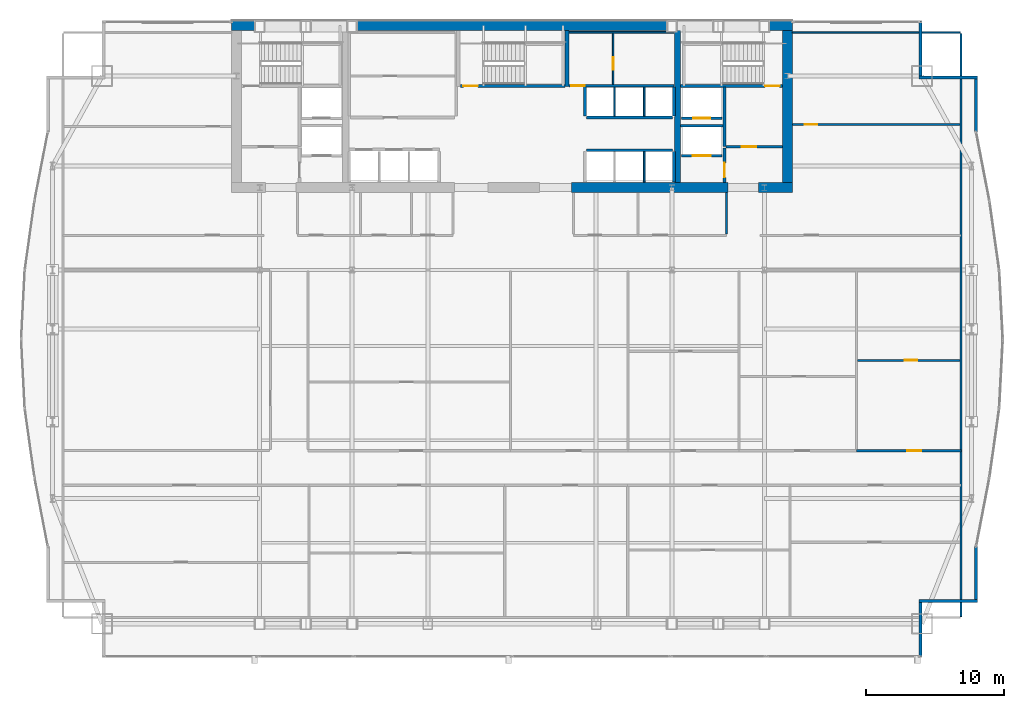
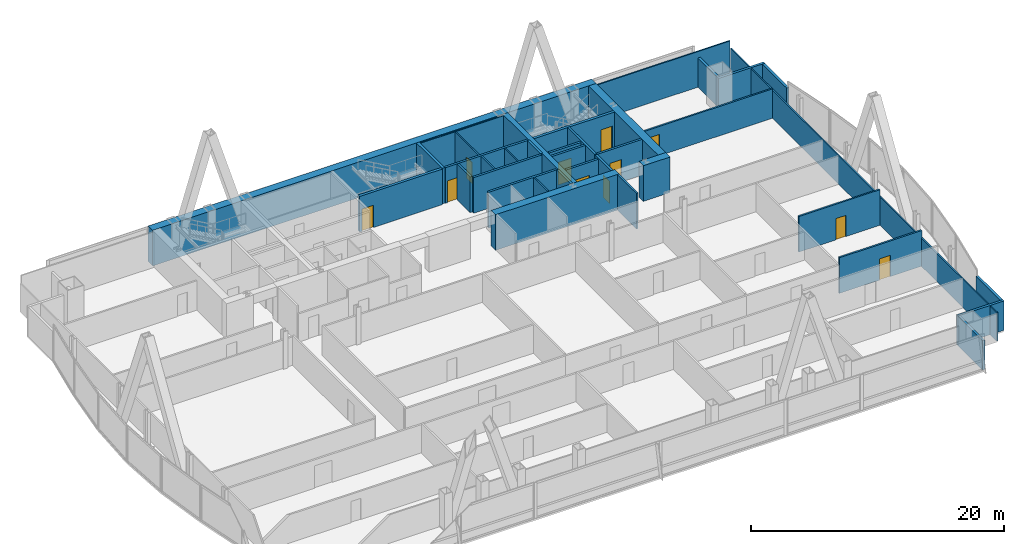
# One storey, part 29 of 33: 37 walls, 11 doors, 11 openings.
"""IFC4 building model written with IfcOpenShell, lengths in metres."""

from ifc_helpers import new_model, si_unit, direction, frame, frame_2d, origin, place, context, subcontext, project, spatial, rectangle, extrude, material, layer, layer_set, type_object, element, fill, save


model = new_model("IFC4")

# Units and contexts
model_context = context("Model", 3, precision=1e-05, world=origin(), true_north=direction((0.0, 1.0)))
body_context = subcontext(model_context, "Body", "Model", "MODEL_VIEW")
ifc_project = project(units=[si_unit("LENGTHUNIT", "METRE"), si_unit("AREAUNIT", "SQUARE_METRE"), si_unit("VOLUMEUNIT", "CUBIC_METRE"), si_unit("PLANEANGLEUNIT", "RADIAN"), si_unit("MASSUNIT", "GRAM", prefix="KILO")], contexts=[model_context])

# Site, building, storey
site_placement = place(None, origin())
site = spatial("IfcSite", under=ifc_project, at=site_placement, CompositionType="ELEMENT")
building_placement = place(site_placement, origin())
building = spatial("IfcBuilding", under=site, at=building_placement, Name="Khoronbel Lancet Exchange", CompositionType="ELEMENT")
storey_placement = place(building_placement, frame((0.0, 0.0, 118.199951171875)))
storey = spatial("IfcBuildingStorey", under=building, at=storey_placement, Name="L28", CompositionType="ELEMENT", Elevation=118.199951171875)

# Walls
ifc_material_1 = material(Name="Concrete C80/95", Category="concrete")
ifc_layer_1 = layer(ifc_material_1, 0.699951171875, Name="Concrete C80/95")
ifc_layer_set_1 = layer_set([ifc_layer_1], Name="Concrete C80/95")
wall_type_1 = type_object("IfcWallType", Name="WL-CW2", PredefinedType="SHEAR", material=ifc_layer_set_1)
wall_1_placement = place(storey_placement, frame((16.199951171875, 53.35009765625, 0.0), z_axis=(0.0, 0.0, 1.0), x_axis=(1.0, 0.0, 0.0)))
element("IfcWall", 1, at=wall_1_placement, inside=storey, type_object=wall_type_1, Name="Level L28 rear core north shear wall", PredefinedType="SHEAR", context=body_context, shape_type="SweptSolid", body=[
    extrude(rectangle(XDim=40.5, YDim=0.699951171875, at=frame_2d((20.25, 0.0))), origin(), (0.0, 0.0, 1.0), 3.43994140625),
])
wall_2_placement = place(storey_placement, frame((56.35009765625, 53.0, 0.0), z_axis=(0.0, 0.0, 1.0), x_axis=(0.0, -1.0, 0.0)))
element("IfcWall", 2, at=wall_2_placement, inside=storey, type_object=wall_type_1, Name="Level L28 rear core east shear wall", PredefinedType="SHEAR", context=body_context, shape_type="SweptSolid", body=[
    extrude(rectangle(XDim=11.0, YDim=0.699951171875, at=frame_2d((5.5, 0.0))), origin(), (0.0, 0.0, 1.0), 3.43994140625),
])
wall_3_placement = place(storey_placement, frame((52.050048828125, 41.64990234375, 0.0), z_axis=(0.0, 0.0, 1.0), x_axis=(-1.0, 0.0, 0.0)))
element("IfcWall", 3, at=wall_3_placement, inside=storey, type_object=wall_type_1, Name="Level L28 rear core south shear wall pier P4", PredefinedType="SHEAR", context=body_context, shape_type="SweptSolid", body=[
    extrude(rectangle(XDim=11.300048828125, YDim=0.699951171875, at=frame_2d((5.64990234375, 0.0))), origin(), (0.0, 0.0, 1.0), 3.43994140625),
])
wall_4_placement = place(storey_placement, frame((56.699951171875, 41.64990234375, 0.0), z_axis=(0.0, 0.0, 1.0), x_axis=(-1.0, 0.0, 0.0)))
element("IfcWall", 4, at=wall_4_placement, inside=storey, type_object=wall_type_1, Name="Level L28 rear core south shear wall pier P5", PredefinedType="SHEAR", context=body_context, shape_type="SweptSolid", body=[
    extrude(rectangle(XDim=2.449951171875, YDim=0.699951171875, at=frame_2d((1.22509765625, 0.0))), origin(), (0.0, 0.0, 1.0), 3.43994140625),
])
ifc_material_2 = material(Name="Precast concrete C40/50", Category="concrete")
ifc_layer_2 = layer(ifc_material_2, 0.25, Name="Precast concrete C40/50")
ifc_layer_set_2 = layer_set([ifc_layer_2], Name="Precast concrete C40/50")
wall_type_2 = type_object("IfcWallType", Name="WL-EXT250", PredefinedType="SOLIDWALL", material=ifc_layer_set_2)
wall_5_placement = place(storey_placement, frame((65.9599609375, 53.6298828125, 0.0), z_axis=(0.0, 0.0, 1.0), x_axis=(0.0, -1.0, 0.0)))
element("IfcWall", 5, at=wall_5_placement, inside=storey, type_object=wall_type_2, Name="Level L28 notched-corner limestone pier 14", PredefinedType="SOLIDWALL", context=body_context, shape_type="SweptSolid", body=[
    extrude(rectangle(XDim=3.909912109375, YDim=0.219970703125, at=frame_2d((1.955078125, 0.0))), origin(), (0.0, 0.0, 1.0), 2.830078125),
])
wall_6_placement = place(storey_placement, frame((65.85009765625, 49.610107421875, 0.0), z_axis=(0.0, 0.0, 1.0), x_axis=(1.0, 0.0, 0.0)))
element("IfcWall", 6, at=wall_6_placement, inside=storey, type_object=wall_type_2, Name="Level L28 notched-corner limestone pier 15", PredefinedType="SOLIDWALL", context=body_context, shape_type="SweptSolid", body=[
    extrude(rectangle(XDim=4.219970703125, YDim=0.219970703125, at=frame_2d((2.10986328125, 0.0))), origin(), (0.0, 0.0, 1.0), 2.830078125),
])
for number, where, z_axis, x_axis, name in (
    (7, (69.9599609375, 49.5, 0.0), (0.0, 0.0, 1.0), (0.0, -1.0, 0.0), "Level L28 notched-corner limestone pier 16"),
    (8, (69.9599609375, 15.728515625, 0.0), (0.0, 0.0, 1.0), (0.0, -1.0, 0.0), "Level L28 notched-corner limestone pier 23"),
):
    element("IfcWall", number, at=place(storey_placement, frame(where, z_axis=z_axis, x_axis=x_axis)), inside=storey, type_object=wall_type_2, Name=name, PredefinedType="SOLIDWALL", context=body_context, shape_type="SweptSolid", body=[
        extrude(rectangle(XDim=3.82861328125, YDim=0.219970703125, at=frame_2d((1.914306640625, 0.0))), origin(), (0.0, 0.0, 1.0), 2.830078125),
    ])
wall_7_placement = place(storey_placement, frame((70.070068359375, 11.7900390625, 0.0), z_axis=(0.0, 0.0, 1.0), x_axis=(-1.0, 0.0, 0.0)))
element("IfcWall", 9, at=wall_7_placement, inside=storey, type_object=wall_type_2, Name="Level L28 notched-corner limestone pier 24", PredefinedType="SOLIDWALL", context=body_context, shape_type="SweptSolid", body=[
    extrude(rectangle(XDim=4.219970703125, YDim=0.219970703125, at=frame_2d((2.10986328125, 0.0))), origin(), (0.0, 0.0, 1.0), 2.830078125),
])
wall_8_placement = place(storey_placement, frame((65.9599609375, 11.679931640625, 0.0), z_axis=(0.0, 0.0, 1.0), x_axis=(0.0, -1.0, 0.0)))
element("IfcWall", 10, at=wall_8_placement, inside=storey, type_object=wall_type_2, Name="Level L28 notched-corner limestone pier 25", PredefinedType="SOLIDWALL", context=body_context, shape_type="SweptSolid", body=[
    extrude(rectangle(XDim=3.909912109375, YDim=0.219970703125, at=frame_2d((1.955078125, 0.0))), origin(), (0.0, 0.0, 1.0), 2.830078125),
])
ifc_material_3 = material(Name="Acoustic Metal-Stud & Mineral-Wool Gypsum Partition 120 mm", Category="gypsum")
ifc_layer_3 = layer(ifc_material_3, 0.1201171875, Name="Acoustic Metal-Stud & Mineral-Wool Gypsum Partition 120 mm")
ifc_layer_set_3 = layer_set([ifc_layer_3], Name="Acoustic Metal-Stud & Mineral-Wool Gypsum Partition 120 mm")
wall_type_3 = type_object("IfcWallType", Name="WL-PRT120", PredefinedType="PARTITIONING", material=ifc_layer_set_3)
wall_9_placement = place(storey_placement, frame((51.949951171875, 38.280029296875, 0.0), z_axis=(0.0, 0.0, 1.0), x_axis=(0.0, 1.0, 0.0)))
element("IfcWall", 11, at=wall_9_placement, inside=storey, type_object=wall_type_3, Name="Level L28 interior partition PW-NP-1", PredefinedType="PARTITIONING", context=body_context, shape_type="SweptSolid", body=[
    extrude(rectangle(XDim=3.02001953125, YDim=0.14990234375, at=frame_2d((1.510009765625, 0.0))), origin(), (0.0, 0.0, 1.0), 3.43994140625),
])

# Wall, opening, door
wall_10_placement = place(storey_placement, frame((56.699951171875, 46.199951171875, 0.0), z_axis=(0.0, 0.0, 1.0), x_axis=(1.0, 0.0, 0.0)))
wall_10 = element("IfcWall", 12, at=wall_10_placement, inside=storey, type_object=wall_type_3, Name="Level L28 interior partition PW-NE-H", PredefinedType="PARTITIONING", context=body_context, shape_type="SweptSolid", body=[
    extrude(rectangle(XDim=12.10498046875, YDim=0.14990234375, at=frame_2d((6.052490234375, 0.0))), origin(), (0.0, 0.0, 1.0), 2.830078125),
])
opening_1_placement = place(wall_10_placement, frame((0.89990234375, 0.0, 0.0)))
opening_1 = element("IfcOpeningElement", 13, at=opening_1_placement, cuts=wall_10, Name="Opening D5", PredefinedType="OPENING", context=body_context, shape_type="SweptSolid", body=[
    extrude(rectangle(XDim=0.89990234375, YDim=2.050048828125, at=frame_2d((0.449951171875, 1.02490234375))), frame((0.0, 0.0849609375, 0.0), z_axis=(0.0, -1.0, 0.0), x_axis=(1.0, 0.0, 0.0)), (0.0, 0.0, 1.0), 0.169921875),
])
ifc_material_4 = material(Name="Acoustic Timber Pantry & Support Door", Category="wood")
door_type_1 = type_object("IfcDoorType", Name="DR-D5", OperationType="NOTDEFINED", PredefinedType="DOOR", material=ifc_material_4)
door_1_placement = place(opening_1_placement, origin())
door_1 = element("IfcDoor", 14, at=door_1_placement, inside=storey, type_object=door_type_1, Name="NE north room door L28-1", OperationType="SINGLE_SWING_RIGHT", OverallHeight=2.050048828125, OverallWidth=0.89990234375, PredefinedType="DOOR", context=body_context, shape_type="SweptSolid", body=[
    extrude(rectangle(XDim=0.89990234375, YDim=2.050048828125, at=frame_2d((0.449951171875, 1.02490234375))), frame((0.0, 0.02490234375, 0.0), z_axis=(0.0, -1.0, 0.0), x_axis=(1.0, 0.0, 0.0)), (0.0, 0.0, 1.0), 0.050048828125),
])
fill(opening_1, door_1)

wall_11_placement = place(storey_placement, frame((61.40771484375, 29.175048828125, 0.0), z_axis=(0.0, 0.0, 1.0), x_axis=(1.0, 0.0, 0.0)))
wall_11 = element("IfcWall", 15, at=wall_11_placement, inside=storey, type_object=wall_type_3, Name="Level L28 interior partition PW-Z2N-H5", PredefinedType="PARTITIONING", context=body_context, shape_type="SweptSolid", body=[
    extrude(rectangle(XDim=7.397216796875, YDim=0.14990234375, at=frame_2d((3.69873046875, 0.0))), origin(), (0.0, 0.0, 1.0), 3.43994140625),
])
opening_2_placement = place(wall_11_placement, frame((3.39404296875, 0.0, 0.0)))
opening_2 = element("IfcOpeningElement", 16, at=opening_2_placement, cuts=wall_11, Name="Opening D5", PredefinedType="OPENING", context=body_context, shape_type="SweptSolid", body=[
    extrude(rectangle(XDim=0.89990234375, YDim=2.050048828125, at=frame_2d((0.449951171875, 1.02490234375))), frame((0.0, 0.0849609375, 0.0), z_axis=(0.0, -1.0, 0.0), x_axis=(1.0, 0.0, 0.0)), (0.0, 0.0, 1.0), 0.169921875),
])
door_2_placement = place(opening_2_placement, origin())
door_2 = element("IfcDoor", 17, at=door_2_placement, inside=storey, type_object=door_type_1, Name="Z2N inner door 5 L28-1", OperationType="SINGLE_SWING_RIGHT", OverallHeight=2.050048828125, OverallWidth=0.89990234375, PredefinedType="DOOR", context=body_context, shape_type="SweptSolid", body=[
    extrude(rectangle(XDim=0.89990234375, YDim=2.050048828125, at=frame_2d((0.449951171875, 1.02490234375))), frame((0.0, 0.02490234375, 0.0), z_axis=(0.0, -1.0, 0.0), x_axis=(1.0, 0.0, 0.0)), (0.0, 0.0, 1.0), 0.050048828125),
])
fill(opening_2, door_2)

# Walls
wall_12_placement = place(storey_placement, frame((68.8701171875, 10.6650390625, 0.0), z_axis=(0.0, 0.0, 1.0), x_axis=(0.0, 1.0, 0.0)))
element("IfcWall", 18, at=wall_12_placement, inside=storey, type_object=wall_type_3, Name="Level L28 interior partition PW-LIN-E", PredefinedType="PARTITIONING", context=body_context, shape_type="SweptSolid", body=[
    extrude(rectangle(XDim=42.10986328125, YDim=0.1201171875, at=frame_2d((21.054931640625, 0.0))), origin(), (0.0, 0.0, 1.0), 2.72998046875),
])
wall_13_placement = place(storey_placement, frame((56.699951171875, 52.840087890625, 0.0), z_axis=(0.0, 0.0, 1.0), x_axis=(1.0, 0.0, 0.0)))
element("IfcWall", 19, at=wall_13_placement, inside=storey, type_object=wall_type_3, Name="Level L28 interior partition PW-LIN-NE", PredefinedType="PARTITIONING", context=body_context, shape_type="SweptSolid", body=[
    extrude(rectangle(XDim=12.10498046875, YDim=0.1201171875, at=frame_2d((6.052490234375, 0.0))), origin(), (0.0, 0.0, 1.0), 3.43994140625),
])
ifc_material_5 = material(Name="Fire-Rated Metal-Stud & Mineral-Wool Gypsum Partition 120 mm", Category="gypsum")
ifc_layer_4 = layer(ifc_material_5, 0.1201171875, Name="Fire-Rated Metal-Stud & Mineral-Wool Gypsum Partition 120 mm")
ifc_layer_set_4 = layer_set([ifc_layer_4], Name="Fire-Rated Metal-Stud & Mineral-Wool Gypsum Partition 120 mm")
wall_type_4 = type_object("IfcWallType", Name="WL-PRT120F", PredefinedType="PARTITIONING", material=ifc_layer_set_4)
for number, where, z_axis, x_axis, name in (
    (20, (43.860107421875, 46.804931640625, 0.0), (0.0, 0.0, 1.0), (0.0, 1.0, 0.0), "Level L28 interior partition CW-PH-D1"),
    (21, (46.0, 46.804931640625, 0.0), (0.0, 0.0, 1.0), (0.0, 1.0, 0.0), "Level L28 interior partition CW-PH-D2"),
):
    element("IfcWall", number, at=place(storey_placement, frame(where, z_axis=z_axis, x_axis=x_axis)), inside=storey, type_object=wall_type_4, Name=name, PredefinedType="PARTITIONING", context=body_context, shape_type="SweptSolid", body=[
        extrude(rectangle(XDim=2.090087890625, YDim=0.1201171875, at=frame_2d((1.044921875, 0.0))), origin(), (0.0, 0.0, 1.0), 3.43994140625),
    ])
wall_14_placement = place(storey_placement, frame((46.0, 42.050048828125, 0.0), z_axis=(0.0, 0.0, 1.0), x_axis=(0.0, 1.0, 0.0)))
element("IfcWall", 22, at=wall_14_placement, inside=storey, type_object=wall_type_4, Name="Level L28 interior partition CW-PX-D2", PredefinedType="PARTITIONING", context=body_context, shape_type="SweptSolid", body=[
    extrude(rectangle(XDim=2.195068359375, YDim=0.1201171875, at=frame_2d((1.09765625, 0.0))), origin(), (0.0, 0.0, 1.0), 3.43994140625),
])
wall_15_placement = place(storey_placement, frame((40.580078125, 52.860107421875, 0.0), z_axis=(0.0, 0.0, 1.0), x_axis=(1.0, 0.0, 0.0)))
element("IfcWall", 23, at=wall_15_placement, inside=storey, type_object=wall_type_4, Name="Level L28 interior partition CW-SUP-NE-N", PredefinedType="PARTITIONING", context=body_context, shape_type="SweptSolid", body=[
    extrude(rectangle(XDim=7.559814453125, YDim=0.1201171875, at=frame_2d((3.77978515625, 0.0))), origin(), (0.0, 0.0, 1.0), 3.43994140625),
])

# Wall, opening, door
wall_16_placement = place(storey_placement, frame((43.755126953125, 49.10498046875, 0.0), z_axis=(0.0, 0.0, 1.0), x_axis=(0.0, 1.0, 0.0)))
wall_16 = element("IfcWall", 24, at=wall_16_placement, inside=storey, type_object=wall_type_4, Name="Level L28 interior partition CW-SUP-NE-M", PredefinedType="PARTITIONING", context=body_context, shape_type="SweptSolid", body=[
    extrude(rectangle(XDim=3.68994140625, YDim=0.1201171875, at=frame_2d((1.844970703125, 0.0))), origin(), (0.0, 0.0, 1.0), 3.43994140625),
])
opening_3_placement = place(wall_16_placement, frame((1.050048828125, 0.0, 0.0)))
opening_3 = element("IfcOpeningElement", 25, at=opening_3_placement, cuts=wall_16, Name="Opening FD4", PredefinedType="OPENING", context=body_context, shape_type="SweptSolid", body=[
    extrude(rectangle(XDim=0.89990234375, YDim=2.050048828125, at=frame_2d((0.449951171875, 1.02490234375))), frame((0.0, 0.070068359375, 0.0), z_axis=(0.0, -1.0, 0.0), x_axis=(1.0, 0.0, 0.0)), (0.0, 0.0, 1.0), 0.14013671875),
])
ifc_material_6 = material(Name="Fire-Rated Steel Core Support Door Assembly", Category="steel")
door_type_2 = type_object("IfcDoorType", Name="DR-FD4", OperationType="NOTDEFINED", PredefinedType="DOOR", material=ifc_material_6)
door_3_placement = place(opening_3_placement, origin())
door_3 = element("IfcDoor", 26, at=door_3_placement, inside=storey, type_object=door_type_2, Name="Core NE inner support door L28-1", OperationType="SINGLE_SWING_LEFT", OverallHeight=2.050048828125, OverallWidth=0.89990234375, PredefinedType="DOOR", context=body_context, shape_type="SweptSolid", body=[
    extrude(rectangle(XDim=0.89990234375, YDim=2.050048828125, at=frame_2d((0.449951171875, 1.02490234375))), frame((0.0, 0.02490234375, 0.0), z_axis=(0.0, -1.0, 0.0), x_axis=(1.0, 0.0, 0.0)), (0.0, 0.0, 1.0), 0.050048828125),
])
fill(opening_3, door_3)

ifc_material_7 = material(Name="Fire-Rated Twin-Stud Acoustic Gypsum Partition 160 mm", Category="gypsum")
ifc_layer_5 = layer(ifc_material_7, 0.159912109375, Name="Fire-Rated Twin-Stud Acoustic Gypsum Partition 160 mm")
ifc_layer_set_5 = layer_set([ifc_layer_5], Name="Fire-Rated Twin-Stud Acoustic Gypsum Partition 160 mm")
wall_type_5 = type_object("IfcWallType", Name="WL-PRT160C", PredefinedType="PARTITIONING", material=ifc_layer_set_5)
wall_17_placement = place(storey_placement, frame((61.32763671875, 22.64990234375, 0.0), z_axis=(0.0, 0.0, 1.0), x_axis=(1.0, 0.0, 0.0)))
wall_17 = element("IfcWall", 27, at=wall_17_placement, inside=storey, type_object=wall_type_5, Name="Level L28 interior partition PW-Z2N-COR5", PredefinedType="PARTITIONING", context=body_context, shape_type="SweptSolid", body=[
    extrude(rectangle(XDim=7.54248046875, YDim=0.159912109375, at=frame_2d((3.771240234375, 0.0))), origin(), (0.0, 0.0, 1.0), 3.43994140625),
])
opening_4_placement = place(wall_17_placement, frame((3.667724609375, 0.0, 0.0)))
opening_4 = element("IfcOpeningElement", 28, at=opening_4_placement, cuts=wall_17, Name="Opening D2", PredefinedType="OPENING", context=body_context, shape_type="SweptSolid", body=[
    extrude(rectangle(XDim=1.0, YDim=2.050048828125, at=frame_2d((0.5, 1.02490234375))), frame((0.0, 0.08984375, 0.0), z_axis=(0.0, -1.0, 0.0), x_axis=(1.0, 0.0, 0.0)), (0.0, 0.0, 1.0), 0.179931640625),
])
ifc_material_8 = material(Name="Acoustic Veneered Timber & Bronze Frame Door", Category="wood")
door_type_3 = type_object("IfcDoorType", Name="DR-D2", OperationType="NOTDEFINED", PredefinedType="DOOR", material=ifc_material_8)
door_4_placement = place(opening_4_placement, origin())
door_4 = element("IfcDoor", 29, at=door_4_placement, inside=storey, type_object=door_type_3, Name="Z2N bay 5 door L28-1", OperationType="SINGLE_SWING_LEFT", OverallHeight=2.050048828125, OverallWidth=1.0, PredefinedType="DOOR", context=body_context, shape_type="SweptSolid", body=[
    extrude(rectangle(XDim=1.0, YDim=2.050048828125, at=frame_2d((0.5, 1.02490234375))), frame((0.0, 0.02490234375, 0.0), z_axis=(0.0, -1.0, 0.0), x_axis=(1.0, 0.0, 0.0)), (0.0, 0.0, 1.0), 0.050048828125),
])
fill(opening_4, door_4)

ifc_material_9 = material(Name="Autoclaved Aerated Concrete Blockwork 200 mm", Category="masonry")
ifc_layer_6 = layer(ifc_material_9, 0.199951171875, Name="Autoclaved Aerated Concrete Blockwork 200 mm")
ifc_layer_set_6 = layer_set([ifc_layer_6], Name="Autoclaved Aerated Concrete Blockwork 200 mm")
wall_type_6 = type_object("IfcWallType", Name="WL-PRT200", PredefinedType="PARTITIONING", material=ifc_layer_set_6)
wall_18_placement = place(storey_placement, frame((51.610107421875, 43.949951171875, 0.0), z_axis=(0.0, 0.0, 1.0), x_axis=(-1.0, 0.0, 0.0)))
wall_18 = element("IfcWall", 30, at=wall_18_placement, inside=storey, type_object=wall_type_6, Name="Level L28 elevator hoistway landing front wall SVLE", PredefinedType="PARTITIONING", context=body_context, shape_type="SweptSolid", body=[
    extrude(rectangle(XDim=2.920166015625, YDim=0.199951171875, at=frame_2d((1.4599609375, 0.0))), origin(), (0.0, 0.0, 1.0), 3.43994140625),
])
opening_5_placement = place(wall_18_placement, frame((0.81005859375, 0.0, 0.0)))
opening_5 = element("IfcOpeningElement", 31, at=opening_5_placement, cuts=wall_18, Name="Opening LD-SVL2", PredefinedType="OPENING", context=body_context, shape_type="SweptSolid", body=[
    extrude(rectangle(XDim=1.300048828125, YDim=2.179931640625, at=frame_2d((0.64990234375, 1.08984375))), frame((0.0, 0.10986328125, 0.0), z_axis=(0.0, -1.0, 0.0), x_axis=(1.0, 0.0, 0.0)), (0.0, 0.0, 1.0), 0.219970703125),
])
ifc_material_10 = material(Name="Heavy-Duty Bi-Parting Goods Lift Landing Door", Category="steel")
door_type_4 = type_object("IfcDoorType", Name="DR-LD-SVL", OperationType="NOTDEFINED", PredefinedType="DOOR", material=ifc_material_10)
door_5_placement = place(opening_5_placement, origin())
door_5 = element("IfcDoor", 32, at=door_5_placement, inside=storey, type_object=door_type_4, Name="Elevator landing sliding door LD-SVL2 L28", OperationType="SLIDING_TO_LEFT", OverallHeight=2.179931640625, OverallWidth=1.300048828125, PredefinedType="DOOR", context=body_context, shape_type="SweptSolid", body=[
    extrude(rectangle(XDim=1.300048828125, YDim=2.179931640625, at=frame_2d((0.64990234375, 1.08984375))), frame((0.0, 0.02490234375, 0.0), z_axis=(0.0, -1.0, 0.0), x_axis=(1.0, 0.0, 0.0)), (0.0, 0.0, 1.0), 0.050048828125),
])
fill(opening_5, door_5)

wall_19_placement = place(storey_placement, frame((51.610107421875, 46.64990234375, 0.0), z_axis=(0.0, 0.0, 1.0), x_axis=(-1.0, 0.0, 0.0)))
wall_19 = element("IfcWall", 33, at=wall_19_placement, inside=storey, type_object=wall_type_6, Name="Level L28 elevator hoistway landing front wall FFLE", PredefinedType="PARTITIONING", context=body_context, shape_type="SweptSolid", body=[
    extrude(rectangle(XDim=2.920166015625, YDim=0.199951171875, at=frame_2d((1.4599609375, 0.0))), origin(), (0.0, 0.0, 1.0), 3.43994140625),
])
opening_6_placement = place(wall_19_placement, frame((0.860107421875, 0.0, 0.0)))
opening_6 = element("IfcOpeningElement", 34, at=opening_6_placement, cuts=wall_19, Name="Opening LD-FFL2", PredefinedType="OPENING", context=body_context, shape_type="SweptSolid", body=[
    extrude(rectangle(XDim=1.199951171875, YDim=2.179931640625, at=frame_2d((0.60009765625, 1.08984375))), frame((0.0, 0.10986328125, 0.0), z_axis=(0.0, -1.0, 0.0), x_axis=(1.0, 0.0, 0.0)), (0.0, 0.0, 1.0), 0.219970703125),
])
ifc_material_11 = material(Name="Fire-Rated Stainless Bi-Parting Firefighting Lift Door", Category="steel")
door_type_5 = type_object("IfcDoorType", Name="DR-LD-FFL", OperationType="NOTDEFINED", PredefinedType="DOOR", material=ifc_material_11)
door_6_placement = place(opening_6_placement, origin())
door_6 = element("IfcDoor", 35, at=door_6_placement, inside=storey, type_object=door_type_5, Name="Elevator landing sliding door LD-FFL2 L28", OperationType="SLIDING_TO_LEFT", OverallHeight=2.179931640625, OverallWidth=1.199951171875, PredefinedType="DOOR", context=body_context, shape_type="SweptSolid", body=[
    extrude(rectangle(XDim=1.199951171875, YDim=2.179931640625, at=frame_2d((0.60009765625, 1.08984375))), frame((0.0, 0.02490234375, 0.0), z_axis=(0.0, -1.0, 0.0), x_axis=(1.0, 0.0, 0.0)), (0.0, 0.0, 1.0), 0.050048828125),
])
fill(opening_6, door_6)

# Wall
wall_20_placement = place(storey_placement, frame((51.800048828125, 44.60009765625, 0.0), z_axis=(0.0, 0.0, 1.0), x_axis=(0.0, 1.0, 0.0)))
element("IfcWall", 36, at=wall_20_placement, inside=storey, type_object=wall_type_6, Name="Level L28 interior partition CW-FFLE-W", PredefinedType="PARTITIONING", context=body_context, shape_type="SweptSolid", body=[
    extrude(rectangle(XDim=4.2998046875, YDim=0.199951171875, at=frame_2d((2.14990234375, 0.0))), origin(), (0.0, 0.0, 1.0), 3.43994140625),
])

# Wall, opening, door
wall_21_placement = place(storey_placement, frame((51.89990234375, 44.60009765625, 0.0), z_axis=(0.0, 0.0, 1.0), x_axis=(1.0, 0.0, 0.0)))
wall_21 = element("IfcWall", 37, at=wall_21_placement, inside=storey, type_object=wall_type_6, Name="Level L28 interior partition CW-FFLE-S", PredefinedType="PARTITIONING", context=body_context, shape_type="SweptSolid", body=[
    extrude(rectangle(XDim=4.10009765625, YDim=0.199951171875, at=frame_2d((2.050048828125, 0.0))), origin(), (0.0, 0.0, 1.0), 3.43994140625),
])
opening_7_placement = place(wall_21_placement, frame((1.14990234375, 0.0, 0.0)))
opening_7 = element("IfcOpeningElement", 38, at=opening_7_placement, cuts=wall_21, Name="Opening FD1", PredefinedType="OPENING", context=body_context, shape_type="SweptSolid", body=[
    extrude(rectangle(XDim=1.050048828125, YDim=2.14990234375, at=frame_2d((0.52490234375, 1.074951171875))), frame((0.0, 0.10986328125, 0.0), z_axis=(0.0, -1.0, 0.0), x_axis=(1.0, 0.0, 0.0)), (0.0, 0.0, 1.0), 0.219970703125),
])
ifc_material_12 = material(Name="Fire-Rated Painted Steel Door Assembly", Category="steel")
door_type_6 = type_object("IfcDoorType", Name="DR-FD1", OperationType="NOTDEFINED", PredefinedType="DOOR", material=ifc_material_12)
door_7_placement = place(opening_7_placement, origin())
door_7 = element("IfcDoor", 39, at=door_7_placement, inside=storey, type_object=door_type_6, Name="East firefighting lobby FD90S door L28-1", OperationType="SINGLE_SWING_RIGHT", OverallHeight=2.14990234375, OverallWidth=1.050048828125, PredefinedType="DOOR", context=body_context, shape_type="SweptSolid", body=[
    extrude(rectangle(XDim=1.050048828125, YDim=2.14990234375, at=frame_2d((0.52490234375, 1.074951171875))), frame((0.0, 0.02490234375, 0.0), z_axis=(0.0, -1.0, 0.0), x_axis=(1.0, 0.0, 0.0)), (0.0, 0.0, 1.0), 0.050048828125),
])
fill(opening_7, door_7)

# Wall
wall_22_placement = place(storey_placement, frame((48.6298828125, 46.1201171875, 0.0), z_axis=(0.0, 0.0, 1.0), x_axis=(1.0, 0.0, 0.0)))
element("IfcWall", 40, at=wall_22_placement, inside=storey, type_object=wall_type_6, Name="Level L28 interior partition CW-FFL2-S", PredefinedType="PARTITIONING", context=body_context, shape_type="SweptSolid", body=[
    extrude(rectangle(XDim=3.070068359375, YDim=0.199951171875, at=frame_2d((1.53515625, 0.0))), origin(), (0.0, 0.0, 1.0), 3.43994140625),
])

# Wall, opening, door
wall_23_placement = place(storey_placement, frame((51.800048828125, 42.0, 0.0), z_axis=(0.0, 0.0, 1.0), x_axis=(0.0, 1.0, 0.0)))
wall_23 = element("IfcWall", 41, at=wall_23_placement, inside=storey, type_object=wall_type_6, Name="Level L28 interior partition CW-SVLE-E", PredefinedType="PARTITIONING", context=body_context, shape_type="SweptSolid", body=[
    extrude(rectangle(XDim=2.4951171875, YDim=0.199951171875, at=frame_2d((1.24755859375, 0.0))), origin(), (0.0, 0.0, 1.0), 3.43994140625),
])
opening_8_placement = place(wall_23_placement, frame((0.3798828125, 0.0, 0.0)))
opening_8 = element("IfcOpeningElement", 42, at=opening_8_placement, cuts=wall_23, Name="Opening FD1", PredefinedType="OPENING", context=body_context, shape_type="SweptSolid", body=[
    extrude(rectangle(XDim=1.050048828125, YDim=2.14990234375, at=frame_2d((0.52490234375, 1.074951171875))), frame((0.0, 0.10986328125, 0.0), z_axis=(0.0, -1.0, 0.0), x_axis=(1.0, 0.0, 0.0)), (0.0, 0.0, 1.0), 0.219970703125),
])
door_8_placement = place(opening_8_placement, origin())
door_8 = element("IfcDoor", 43, at=door_8_placement, inside=storey, type_object=door_type_6, Name="East service lift lobby door L28-1", OperationType="SINGLE_SWING_LEFT", OverallHeight=2.14990234375, OverallWidth=1.050048828125, PredefinedType="DOOR", context=body_context, shape_type="SweptSolid", body=[
    extrude(rectangle(XDim=1.050048828125, YDim=2.14990234375, at=frame_2d((0.52490234375, 1.074951171875))), frame((0.0, 0.02490234375, 0.0), z_axis=(0.0, -1.0, 0.0), x_axis=(1.0, 0.0, 0.0)), (0.0, 0.0, 1.0), 0.050048828125),
])
fill(opening_8, door_8)

# Walls
wall_24_placement = place(storey_placement, frame((41.824951171875, 46.699951171875, 0.0), z_axis=(0.0, 0.0, 1.0), x_axis=(1.0, 0.0, 0.0)))
element("IfcWall", 44, at=wall_24_placement, inside=storey, type_object=wall_type_6, Name="Level L28 interior partition CW-PH-EXP", PredefinedType="PARTITIONING", context=body_context, shape_type="SweptSolid", body=[
    extrude(rectangle(XDim=6.2099609375, YDim=0.199951171875, at=frame_2d((3.10498046875, 0.0))), origin(), (0.0, 0.0, 1.0), 3.43994140625),
])
for number, where, z_axis, x_axis, name in (
    (45, (41.719970703125, 46.804931640625, 0.0), (0.0, 0.0, 1.0), (0.0, 1.0, 0.0), "Level L28 interior partition CW-PH-W"),
    (46, (48.139892578125, 46.804931640625, 0.0), (0.0, 0.0, 1.0), (0.0, 1.0, 0.0), "Level L28 interior partition CW-PH-E"),
):
    element("IfcWall", number, at=place(storey_placement, frame(where, z_axis=z_axis, x_axis=x_axis)), inside=storey, type_object=wall_type_6, Name=name, PredefinedType="PARTITIONING", context=body_context, shape_type="SweptSolid", body=[
        extrude(rectangle(XDim=2.090087890625, YDim=0.199951171875, at=frame_2d((1.044921875, 0.0))), origin(), (0.0, 0.0, 1.0), 3.43994140625),
    ])
wall_25_placement = place(storey_placement, frame((41.824951171875, 44.35009765625, 0.0), z_axis=(0.0, 0.0, 1.0), x_axis=(1.0, 0.0, 0.0)))
element("IfcWall", 47, at=wall_25_placement, inside=storey, type_object=wall_type_6, Name="Level L28 interior partition CW-PX-EXP", PredefinedType="PARTITIONING", context=body_context, shape_type="SweptSolid", body=[
    extrude(rectangle(XDim=6.2099609375, YDim=0.199951171875, at=frame_2d((3.10498046875, 0.0))), origin(), (0.0, 0.0, 1.0), 3.43994140625),
])
wall_26_placement = place(storey_placement, frame((48.139892578125, 42.050048828125, 0.0), z_axis=(0.0, 0.0, 1.0), x_axis=(0.0, 1.0, 0.0)))
element("IfcWall", 48, at=wall_26_placement, inside=storey, type_object=wall_type_6, Name="Level L28 interior partition CW-PX-E", PredefinedType="PARTITIONING", context=body_context, shape_type="SweptSolid", body=[
    extrude(rectangle(XDim=2.195068359375, YDim=0.199951171875, at=frame_2d((1.09765625, 0.0))), origin(), (0.0, 0.0, 1.0), 3.43994140625),
])

# Wall, opening, door
wall_27_placement = place(storey_placement, frame((40.580078125, 49.0, 0.0), z_axis=(0.0, 0.0, 1.0), x_axis=(1.0, 0.0, 0.0)))
wall_27 = element("IfcWall", 49, at=wall_27_placement, inside=storey, type_object=wall_type_6, Name="Level L28 interior partition CW-SUP-NE-S", PredefinedType="PARTITIONING", context=body_context, shape_type="SweptSolid", body=[
    extrude(rectangle(XDim=7.559814453125, YDim=0.199951171875, at=frame_2d((3.77978515625, 0.0))), origin(), (0.0, 0.0, 1.0), 3.43994140625),
])
opening_9_placement = place(wall_27_placement, frame((0.159912109375, 0.0, 0.0)))
opening_9 = element("IfcOpeningElement", 50, at=opening_9_placement, cuts=wall_27, Name="Opening FD3", PredefinedType="OPENING", context=body_context, shape_type="SweptSolid", body=[
    extrude(rectangle(XDim=0.949951171875, YDim=2.10009765625, at=frame_2d((0.47509765625, 1.050048828125))), frame((0.0, 0.10986328125, 0.0), z_axis=(0.0, -1.0, 0.0), x_axis=(1.0, 0.0, 0.0)), (0.0, 0.0, 1.0), 0.219970703125),
])
ifc_material_13 = material(Name="Fire-Rated Steel Plant & Riser Door Assembly", Category="steel")
door_type_7 = type_object("IfcDoorType", Name="DR-FD3", OperationType="NOTDEFINED", PredefinedType="DOOR", material=ifc_material_13)
door_9_placement = place(opening_9_placement, origin())
door_9 = element("IfcDoor", 51, at=door_9_placement, inside=storey, type_object=door_type_7, Name="Core NE support room door L28-1", OperationType="SINGLE_SWING_RIGHT", OverallHeight=2.10009765625, OverallWidth=0.949951171875, PredefinedType="DOOR", context=body_context, shape_type="SweptSolid", body=[
    extrude(rectangle(XDim=0.949951171875, YDim=2.10009765625, at=frame_2d((0.47509765625, 1.050048828125))), frame((0.0, 0.02490234375, 0.0), z_axis=(0.0, -1.0, 0.0), x_axis=(1.0, 0.0, 0.0)), (0.0, 0.0, 1.0), 0.050048828125),
])
fill(opening_9, door_9)

# Walls
ifc_layer_7 = layer(ifc_material_1, 0.449951171875, Name="Concrete C80/95")
ifc_layer_set_7 = layer_set([ifc_layer_7], Name="Concrete C80/95")
wall_type_7 = type_object("IfcWallType", Name="WL-SW1", PredefinedType="SHEAR", material=ifc_layer_set_7)
wall_28_placement = place(storey_placement, frame((48.39990234375, 42.0, 0.0), z_axis=(0.0, 0.0, 1.0), x_axis=(0.0, 1.0, 0.0)))
element("IfcWall", 52, at=wall_28_placement, inside=storey, type_object=wall_type_7, Name="Level L28 rear core internal spine shear wall IE", PredefinedType="SHEAR", context=body_context, shape_type="SweptSolid", body=[
    extrude(rectangle(XDim=11.0, YDim=0.449951171875, at=frame_2d((5.5, 0.0))), origin(), (0.0, 0.0, 1.0), 3.43994140625),
])
ifc_material_14 = material(Name="Concrete C60/75", Category="concrete")
ifc_layer_8 = layer(ifc_material_14, 0.260009765625, Name="Concrete C60/75")
ifc_layer_set_8 = layer_set([ifc_layer_8], Name="Concrete C60/75")
wall_type_8 = type_object("IfcWallType", Name="WL-SW3", PredefinedType="SHEAR", material=ifc_layer_set_8)
wall_29_placement = place(storey_placement, frame((40.419921875, 48.949951171875, 0.0), z_axis=(0.0, 0.0, 1.0), x_axis=(0.0, 1.0, 0.0)))
element("IfcWall", 53, at=wall_29_placement, inside=storey, type_object=wall_type_8, Name="Level L28 central stairwell structural shear wall ST3E", PredefinedType="SHEAR", context=body_context, shape_type="SweptSolid", body=[
    extrude(rectangle(XDim=4.050048828125, YDim=0.260009765625, at=frame_2d((2.02490234375, 0.0))), origin(), (0.0, 0.0, 1.0), 3.43994140625),
])

# Wall, opening, door
wall_30_placement = place(storey_placement, frame((48.6298828125, 48.97998046875, 0.0), z_axis=(0.0, 0.0, 1.0), x_axis=(1.0, 0.0, 0.0)))
wall_30 = element("IfcWall", 54, at=wall_30_placement, inside=storey, type_object=wall_type_8, Name="Level L28 east stairwell structural south wall", PredefinedType="SHEAR", context=body_context, shape_type="SweptSolid", body=[
    extrude(rectangle(XDim=7.3701171875, YDim=0.239990234375, at=frame_2d((3.68505859375, 0.0))), origin(), (0.0, 0.0, 1.0), 3.43994140625),
])
opening_10_placement = place(wall_30_placement, frame((6.10009765625, 0.0, 0.0)))
opening_10 = element("IfcOpeningElement", 55, at=opening_10_placement, cuts=wall_30, Name="Opening SD1", PredefinedType="OPENING", context=body_context, shape_type="SweptSolid", body=[
    extrude(rectangle(XDim=1.050048828125, YDim=2.14990234375, at=frame_2d((0.52490234375, 1.074951171875))), frame((0.0, 0.1298828125, 0.0), z_axis=(0.0, -1.0, 0.0), x_axis=(1.0, 0.0, 0.0)), (0.0, 0.0, 1.0), 0.260009765625),
])
ifc_material_15 = material(Name="Fire-Rated Steel Stairwell Door Assembly", Category="steel")
door_type_8 = type_object("IfcDoorType", Name="DR-SD1", OperationType="NOTDEFINED", PredefinedType="DOOR", material=ifc_material_15)
door_10_placement = place(opening_10_placement, origin())
door_10 = element("IfcDoor", 56, at=door_10_placement, inside=storey, type_object=door_type_8, Name="Protected exit stair ST2 door L28", OperationType="SINGLE_SWING_RIGHT", OverallHeight=2.14990234375, OverallWidth=1.050048828125, PredefinedType="DOOR", context=body_context, shape_type="SweptSolid", body=[
    extrude(rectangle(XDim=1.050048828125, YDim=2.14990234375, at=frame_2d((0.52490234375, 1.074951171875))), frame((0.0, 0.02490234375, 0.0), z_axis=(0.0, -1.0, 0.0), x_axis=(1.0, 0.0, 0.0)), (0.0, 0.0, 1.0), 0.050048828125),
])
fill(opening_10, door_10)

wall_31_placement = place(storey_placement, frame((32.719970703125, 48.97998046875, 0.0), z_axis=(0.0, 0.0, 1.0), x_axis=(1.0, 0.0, 0.0)))
wall_31 = element("IfcWall", 57, at=wall_31_placement, inside=storey, type_object=wall_type_8, Name="Level L28 central stairwell structural south wall", PredefinedType="SHEAR", context=body_context, shape_type="SweptSolid", body=[
    extrude(rectangle(XDim=7.56005859375, YDim=0.239990234375, at=frame_2d((3.780029296875, 0.0))), origin(), (0.0, 0.0, 1.0), 3.43994140625),
])
opening_11_placement = place(wall_31_placement, frame((0.219970703125, 0.0, 0.0)))
opening_11 = element("IfcOpeningElement", 58, at=opening_11_placement, cuts=wall_31, Name="Opening SD1", PredefinedType="OPENING", context=body_context, shape_type="SweptSolid", body=[
    extrude(rectangle(XDim=1.050048828125, YDim=2.14990234375, at=frame_2d((0.52490234375, 1.074951171875))), frame((0.0, 0.1298828125, 0.0), z_axis=(0.0, -1.0, 0.0), x_axis=(1.0, 0.0, 0.0)), (0.0, 0.0, 1.0), 0.260009765625),
])
door_11_placement = place(opening_11_placement, origin())
door_11 = element("IfcDoor", 59, at=door_11_placement, inside=storey, type_object=door_type_8, Name="Protected exit stair ST3 door L28", OperationType="SINGLE_SWING_LEFT", OverallHeight=2.14990234375, OverallWidth=1.050048828125, PredefinedType="DOOR", context=body_context, shape_type="SweptSolid", body=[
    extrude(rectangle(XDim=1.050048828125, YDim=2.14990234375, at=frame_2d((0.52490234375, 1.074951171875))), frame((0.0, 0.02490234375, 0.0), z_axis=(0.0, -1.0, 0.0), x_axis=(1.0, 0.0, 0.0)), (0.0, 0.0, 1.0), 0.050048828125),
])
fill(opening_11, door_11)

save(model, "model.ifc")
